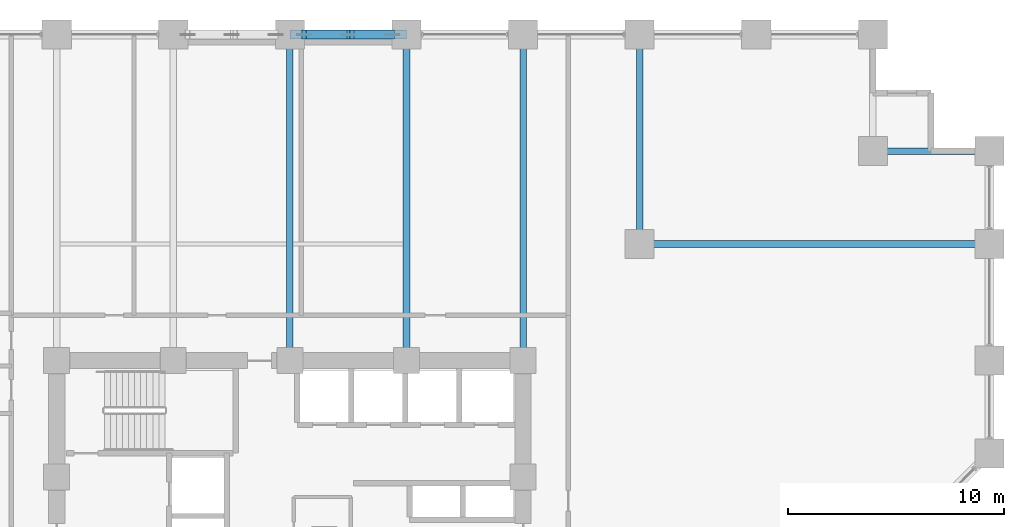
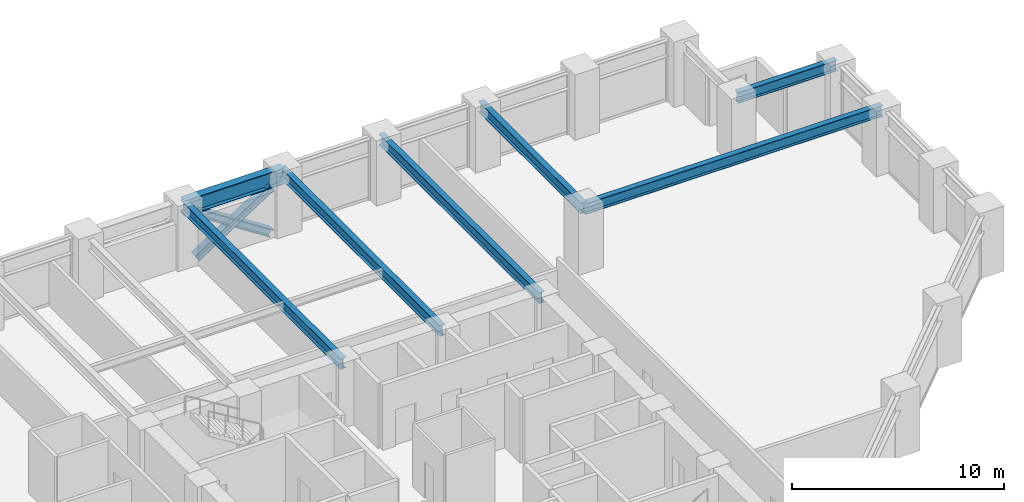
# One storey, part 14 of 24: 7 beams, 3 members.
"""IFC4 building model written with IfcOpenShell, lengths in metres."""

import ifcopenshell
import ifcopenshell.guid

model = None  # the IFC model being written
_history = None  # IfcOwnerHistory: only IFC2X3 demands one
_inside = {}  # id of a spatial element -> (the spatial element, [elements in it])
_under = {}  # id of a project, library or spatial element -> (it, [spatial elements below it])
_declared = {}  # id of a project -> (the project, [libraries it declares])
_typed = {}  # id of a type object -> (the type object, [elements of that type])
_made_of = {}  # id of a material, layer set ... -> (it, [elements and type objects made of it])


def new_model(schema):
    """Start an empty IFC model of exactly this schema.

    Asked for "IFC4X3", IfcOpenShell would pick the latest addendum, in which some entities
    have other attributes; the version numbers below select the first issue.
    IFC2X3 requires an IfcOwnerHistory on every rooted entity: one is made here for all.
    """
    global model, _history
    if schema == "IFC4X3":
        model = ifcopenshell.file(schema_version=(4, 3, 0, 0))
    else:
        model = ifcopenshell.file(schema=schema)
    _inside.clear()
    _under.clear()
    _declared.clear()
    _typed.clear()
    _made_of.clear()
    _history = None
    if model.schema == "IFC2X3":
        org = make("IfcOrganization", Name="unknown")
        user = make(
            "IfcPersonAndOrganization",
            ThePerson=make("IfcPerson", FamilyName="unknown"),
            TheOrganization=org,
        )
        app = make(
            "IfcApplication",
            ApplicationDeveloper=org,
            Version="unknown",
            ApplicationFullName="unknown",
            ApplicationIdentifier="unknown",
        )
        _history = make(
            "IfcOwnerHistory",
            OwningUser=user,
            OwningApplication=app,
            ChangeAction="ADDED",
            CreationDate=0,
        )
    return model


def make(cls, **values):
    """One entity of the class cls with the attributes given. An attribute that is None is left unset."""
    return model.create_entity(
        cls, **{name: value for name, value in values.items() if value is not None}
    )


def rooted(cls, **values):
    """An entity with a GlobalId (a new one), such as an element, a storey or a relation."""
    return make(cls, GlobalId=ifcopenshell.guid.new(), OwnerHistory=_history, **values)


def si_unit(unit_type, name, prefix=None):
    """IfcSIUnit, for example si_unit("LENGTHUNIT", "METRE", prefix="MILLI")."""
    return make("IfcSIUnit", UnitType=unit_type, Prefix=prefix, Name=name)


def assignment(units):
    """IfcUnitAssignment: the units of a project."""
    return None if units is None else make("IfcUnitAssignment", Units=units)


def point(xyz):
    """IfcCartesianPoint."""
    return None if xyz is None else make("IfcCartesianPoint", Coordinates=xyz)


def direction(xyz):
    """IfcDirection."""
    return None if xyz is None else make("IfcDirection", DirectionRatios=xyz)


def frame(location, z_axis=None, x_axis=None):
    """IfcAxis2Placement3D, a coordinate frame: its origin and axes. An axis left out is left unset."""
    return make(
        "IfcAxis2Placement3D",
        Location=point(location),
        Axis=direction(z_axis),
        RefDirection=direction(x_axis),
    )


def frame_2d(location, x_axis=None):
    """IfcAxis2Placement2D, a coordinate frame in the plane: its origin and x axis."""
    return make(
        "IfcAxis2Placement2D", Location=point(location), RefDirection=direction(x_axis)
    )


def origin():
    """The frame at (0, 0, 0) with its axes left unset."""
    return frame((0.0, 0.0, 0.0))


def origin_2d():
    """The frame at (0, 0) in the plane with its x axis left unset."""
    return frame_2d((0.0, 0.0))


def place(relative_to, where):
    """IfcLocalPlacement: puts the frame where relative to a parent placement (None: the world)."""
    return make(
        "IfcLocalPlacement", PlacementRelTo=relative_to, RelativePlacement=where
    )


def context(
    kind, dimensions, precision=None, world=None, true_north=None, identifier=None
):
    """IfcGeometricRepresentationContext, for example the 3D "Model" context."""
    return make(
        "IfcGeometricRepresentationContext",
        ContextIdentifier=identifier,
        ContextType=kind,
        CoordinateSpaceDimension=dimensions,
        Precision=precision,
        WorldCoordinateSystem=world,
        TrueNorth=true_north,
    )


def subcontext(parent, identifier, kind, view, scale=None):
    """IfcGeometricRepresentationSubContext, for example "Body" below "Model"."""
    return make(
        "IfcGeometricRepresentationSubContext",
        ContextIdentifier=identifier,
        ContextType=kind,
        ParentContext=parent,
        TargetScale=scale,
        TargetView=view,
    )


def project(units=None, contexts=None):
    """IfcProject with its units and contexts."""
    return rooted(
        "IfcProject",
        Name="project",
        RepresentationContexts=contexts,
        UnitsInContext=assignment(units),
    )


def spatial(cls, under=None, at=None, **own):
    """A site, building, storey or space (cls), placed at a placement, below another one or the project."""
    s = rooted(cls, ObjectPlacement=at, **own)
    if under is not None:
        _under.setdefault(under.id(), (under, []))[1].append(s)
    return s


def profile(cls, at=None, kind="AREA", **sizes):
    """A parametric profile (cls). Its sizes go by their IFC names, for example OverallWidth=200.0."""
    return make(cls, ProfileType=kind, Position=at, **sizes)


def i_section(**sizes):
    """IfcIShapeProfileDef."""
    return profile("IfcIShapeProfileDef", **sizes)


def extrude(swept, where, along, depth):
    """IfcExtrudedAreaSolid: the profile swept, set in the frame where, extruded along a direction by depth."""
    return make(
        "IfcExtrudedAreaSolid",
        SweptArea=swept,
        Position=where,
        ExtrudedDirection=direction(along),
        Depth=depth,
    )


def shape(context_of_items, identifier, shape_type, items):
    """IfcShapeRepresentation: the items that make up one representation, for example the "Body"."""
    return make(
        "IfcShapeRepresentation",
        ContextOfItems=context_of_items,
        RepresentationIdentifier=identifier,
        RepresentationType=shape_type,
        Items=items,
    )


def material(Name=None, Category=None):
    """IfcMaterial."""
    return make("IfcMaterial", Name=Name, Category=Category)


def material_profile(
    of_material, cross_section, Name=None, Category=None, Priority=None
):
    """IfcMaterialProfile: a cross section and its material."""
    return make(
        "IfcMaterialProfile",
        Name=Name,
        Material=of_material,
        Profile=cross_section,
        Priority=Priority,
        Category=Category,
    )


def profile_set(profiles, Name=None, composite=None):
    """IfcMaterialProfileSet."""
    return make(
        "IfcMaterialProfileSet",
        Name=Name,
        MaterialProfiles=profiles,
        CompositeProfile=composite,
    )


def made_of(thing, what):
    """Note that an element or type object is made of a material, layer set ...; save() writes the relation."""
    if what is not None:
        _made_of.setdefault(what.id(), (what, []))[1].append(thing)
    return thing


def type_object(cls, material=None, **own):
    """A type object (cls), such as IfcWallType, which elements share."""
    return made_of(rooted(cls, **own), material)


def element(
    cls,
    number,
    at=None,
    inside=None,
    cuts=None,
    type_object=None,
    material=None,
    context=None,
    identifier="Body",
    shape_type=None,
    held_by="IfcProductDefinitionShape",
    body=None,
    shapes=None,
    **own,
):
    """One element of the class cls, such as IfcWall. Its Tag is "e" and its number.

    at: its placement. inside: the storey or other place that contains it. cuts: it is an
    opening in that element (IfcRelVoidsElement). A single representation is given by context,
    identifier, shape_type and body (its items); several are given by shapes. held_by: the class
    of the entity that holds the representations. save() writes the other relations.
    """
    e = rooted(cls, Tag="e%d" % number, ObjectPlacement=at, **own)
    if body is not None:
        shapes = [shape(context, identifier, shape_type, body)]
    if shapes is not None:
        e.Representation = make(held_by, Representations=shapes)
    if inside is not None:
        _inside.setdefault(inside.id(), (inside, []))[1].append(e)
    if cuts is not None:
        rooted(
            "IfcRelVoidsElement", RelatingBuildingElement=cuts, RelatedOpeningElement=e
        )
    if type_object is not None:
        _typed.setdefault(type_object.id(), (type_object, []))[1].append(e)
    return made_of(e, material)


def aggregate(whole, parts):
    """IfcRelAggregates: a whole, such as a stair, and the parts it consists of."""
    return rooted("IfcRelAggregates", RelatingObject=whole, RelatedObjects=parts)


def save(model, path):
    """Write the relations noted so far, then the file.

    IfcRelAggregates (storeys below a building ...), IfcRelContainedInSpatialStructure (elements
    in a storey), IfcRelDefinesByType, IfcRelAssociatesMaterial and IfcRelDeclares: one each for
    every whole, place, type object, material and project.
    """
    for whole, parts in _under.values():
        aggregate(whole, parts)
    for where, things in _inside.values():
        rooted(
            "IfcRelContainedInSpatialStructure",
            RelatedElements=things,
            RelatingStructure=where,
        )
    for kind, things in _typed.values():
        rooted("IfcRelDefinesByType", RelatedObjects=things, RelatingType=kind)
    for what, things in _made_of.values():
        rooted("IfcRelAssociatesMaterial", RelatedObjects=things, RelatingMaterial=what)
    for by, libraries in _declared.values():
        rooted("IfcRelDeclares", RelatingContext=by, RelatedDefinitions=libraries)
    model.write(path)


model = new_model("IFC4")

# Units and contexts
model_context = context("Model", 3, precision=1e-05, world=origin(), true_north=direction((0.0, 1.0)))
body_context = subcontext(model_context, "Body", "Model", "MODEL_VIEW")
ifc_project = project(units=[si_unit("LENGTHUNIT", "METRE"), si_unit("AREAUNIT", "SQUARE_METRE"), si_unit("VOLUMEUNIT", "CUBIC_METRE"), si_unit("PLANEANGLEUNIT", "RADIAN"), si_unit("MASSUNIT", "GRAM", prefix="KILO")], contexts=[model_context])

# Site, building, storey
site_placement = place(None, origin())
site = spatial("IfcSite", under=ifc_project, at=site_placement, CompositionType="ELEMENT")
building_placement = place(site_placement, origin())
building = spatial("IfcBuilding", under=site, at=building_placement, Name="Surkhivell Harbour Commons", CompositionType="ELEMENT")
storey_placement = place(building_placement, frame((0.0, 0.0, 30.0)))
storey = spatial("IfcBuildingStorey", under=building, at=storey_placement, Name="L07", CompositionType="ELEMENT", Elevation=30.0)

# Beams
ifc_material_1 = material(Name="Steel S355", Category="steel")
ifc_material_profile_1 = material_profile(ifc_material_1, i_section(OverallWidth=0.306884765625, OverallDepth=0.6201171875, WebThickness=0.01416015625, FlangeThickness=0.023681640625, at=origin_2d()), Name="UB610x305x179")
ifc_profile_set_1 = profile_set([ifc_material_profile_1], Name="Steel S355")
beam_type_1 = type_object("IfcBeamType", Name="BM-GRD-610A", PredefinedType="BEAM", material=ifc_profile_set_1)
for number, where, z_axis, x_axis, name in (
    (1, (0.0, 10.800048828125, 3.260009765625), (0.0, 1.0, 0.0), (-1.0, 0.0, 0.0), "L07 Floor Girder (0.0,10.8)"),
    (2, (5.39990234375, 10.800048828125, 3.260009765625), (0.0, 1.0, 0.0), (-1.0, 0.0, 0.0), "L07 Floor Girder (5.4,10.8)"),
    (3, (10.800048828125, 10.800048828125, 3.260009765625), (0.0, 1.0, 0.0), (-1.0, 0.0, 0.0), "L07 Floor Girder (10.8,10.8)"),
):
    element("IfcBeam", number, at=place(storey_placement, frame(where, z_axis=z_axis, x_axis=x_axis)), inside=storey, type_object=beam_type_1, Name=name, PredefinedType="BEAM", context=body_context, shape_type="SweptSolid", body=[
        extrude(i_section(OverallWidth=0.306884765625, OverallDepth=0.6201171875, WebThickness=0.01416015625, FlangeThickness=0.023681640625, at=origin_2d()), origin(), (0.0, 0.0, 1.0), 15.099853515625),
    ])
beam_1_placement = place(storey_placement, frame((16.199951171875, 16.199951171875, 3.260009765625), z_axis=(0.0, 1.0, 0.0), x_axis=(-1.0, 0.0, 0.0)))
element("IfcBeam", 4, at=beam_1_placement, inside=storey, type_object=beam_type_1, Name="L07 Floor Girder (16.2,16.2)", PredefinedType="BEAM", context=body_context, shape_type="SweptSolid", body=[
    extrude(i_section(OverallWidth=0.306884765625, OverallDepth=0.6201171875, WebThickness=0.01416015625, FlangeThickness=0.023681640625, at=origin_2d()), origin(), (0.0, 0.0, 1.0), 9.699951171875),
])
beam_2_placement = place(storey_placement, frame((16.199951171875, 16.199951171875, 3.260009765625), z_axis=(1.0, 0.0, 0.0), x_axis=(0.0, 1.0, 0.0)))
element("IfcBeam", 5, at=beam_2_placement, inside=storey, type_object=beam_type_1, Name="L07 Floor Girder (16.2,16.2)", PredefinedType="BEAM", context=body_context, shape_type="SweptSolid", body=[
    extrude(i_section(OverallWidth=0.306884765625, OverallDepth=0.6201171875, WebThickness=0.01416015625, FlangeThickness=0.023681640625, at=origin_2d()), origin(), (0.0, 0.0, 1.0), 16.199951171875),
])
beam_3_placement = place(storey_placement, frame((27.0, 20.5, 3.260009765625), z_axis=(1.0, 0.0, 0.0), x_axis=(0.0, 1.0, 0.0)))
element("IfcBeam", 6, at=beam_3_placement, inside=storey, type_object=beam_type_1, Name="L07 Floor Girder (27.0,20.5)", PredefinedType="BEAM", context=body_context, shape_type="SweptSolid", body=[
    extrude(i_section(OverallWidth=0.306884765625, OverallDepth=0.6201171875, WebThickness=0.01416015625, FlangeThickness=0.023681640625, at=origin_2d()), origin(), (0.0, 0.0, 1.0), 5.39990234375),
])
ifc_material_2 = material(Name="Steel S460", Category="steel")
ifc_material_profile_2 = material_profile(ifc_material_2, i_section(OverallWidth=0.419921875, OverallDepth=0.9208984375, WebThickness=0.021484375, FlangeThickness=0.03662109375, at=origin_2d()), Name="UB914x419x388")
ifc_profile_set_2 = profile_set([ifc_material_profile_2], Name="Steel S460")
beam_type_2 = type_object("IfcBeamType", Name="BM-SPN-914A", PredefinedType="SPANDREL", material=ifc_profile_set_2)
beam_4_placement = place(storey_placement, frame((0.0, 25.89990234375, 3.109619140625), z_axis=(1.0, 0.0, 0.0), x_axis=(0.0, 1.0, 0.0)))
element("IfcBeam", 7, at=beam_4_placement, inside=storey, type_object=beam_type_2, Name="L07 Tube Spandrel (-0.0,25.9)", PredefinedType="SPANDREL", context=body_context, shape_type="SweptSolid", body=[
    extrude(i_section(OverallWidth=0.419921875, OverallDepth=0.9208984375, WebThickness=0.021484375, FlangeThickness=0.03662109375, at=origin_2d()), origin(), (0.0, 0.0, 1.0), 5.39990234375),
])

# Members
ifc_material_profile_3 = material_profile(ifc_material_2, i_section(OverallWidth=0.406005859375, OverallDepth=0.416015625, WebThickness=0.026611328125, FlangeThickness=0.0390625, at=origin_2d()), Name="HD400x382")
ifc_profile_set_3 = profile_set([ifc_material_profile_3], Name="Steel S460")
member_type = type_object("IfcMemberType", Name="MEM-BRC-HD382", PredefinedType="BRACE", material=ifc_profile_set_3)
member_1_placement = place(storey_placement, frame((0.659912109375, 25.89990234375, 0.008056640625), z_axis=(0.83910375559, 0.0, 0.543971403067), x_axis=(0.0, 1.0, 0.0)))
element("IfcMember", 8, at=member_1_placement, inside=storey, type_object=member_type, Name="L07 Perimeter Mega-Brace MB- 04", PredefinedType="BRACE", context=body_context, shape_type="SweptSolid", body=[
    extrude(i_section(OverallWidth=0.406005859375, OverallDepth=0.416015625, WebThickness=0.026611328125, FlangeThickness=0.0390625, at=origin_2d()), origin(), (0.0, 0.0, 1.0), 4.8623046875),
])
member_2_placement = place(storey_placement, frame((4.739990234375, 25.89990234375, 0.008056640625), z_axis=(-0.83908547242, 0.0, 0.543999604756), x_axis=(0.0, -1.0, 0.0)))
element("IfcMember", 9, at=member_2_placement, inside=storey, type_object=member_type, Name="L07 Perimeter Mega-Brace MB- 05", PredefinedType="BRACE", context=body_context, shape_type="SweptSolid", body=[
    extrude(i_section(OverallWidth=0.406005859375, OverallDepth=0.416015625, WebThickness=0.026611328125, FlangeThickness=0.0390625, at=origin_2d()), origin(), (0.0, 0.0, 1.0), 2.2314453125),
])
member_3_placement = place(storey_placement, frame((2.532470703125, 25.89990234375, 1.439208984375), z_axis=(-0.839117847051, 0.0, 0.54394966565), x_axis=(0.0, -1.0, 0.0)))
element("IfcMember", 10, at=member_3_placement, inside=storey, type_object=member_type, Name="L07 Perimeter Mega-Brace MB- 06", PredefinedType="BRACE", context=body_context, shape_type="SweptSolid", body=[
    extrude(i_section(OverallWidth=0.406005859375, OverallDepth=0.416015625, WebThickness=0.026611328125, FlangeThickness=0.0390625, at=origin_2d()), origin(), (0.0, 0.0, 1.0), 2.231689453125),
])

save(model, "model.ifc")
